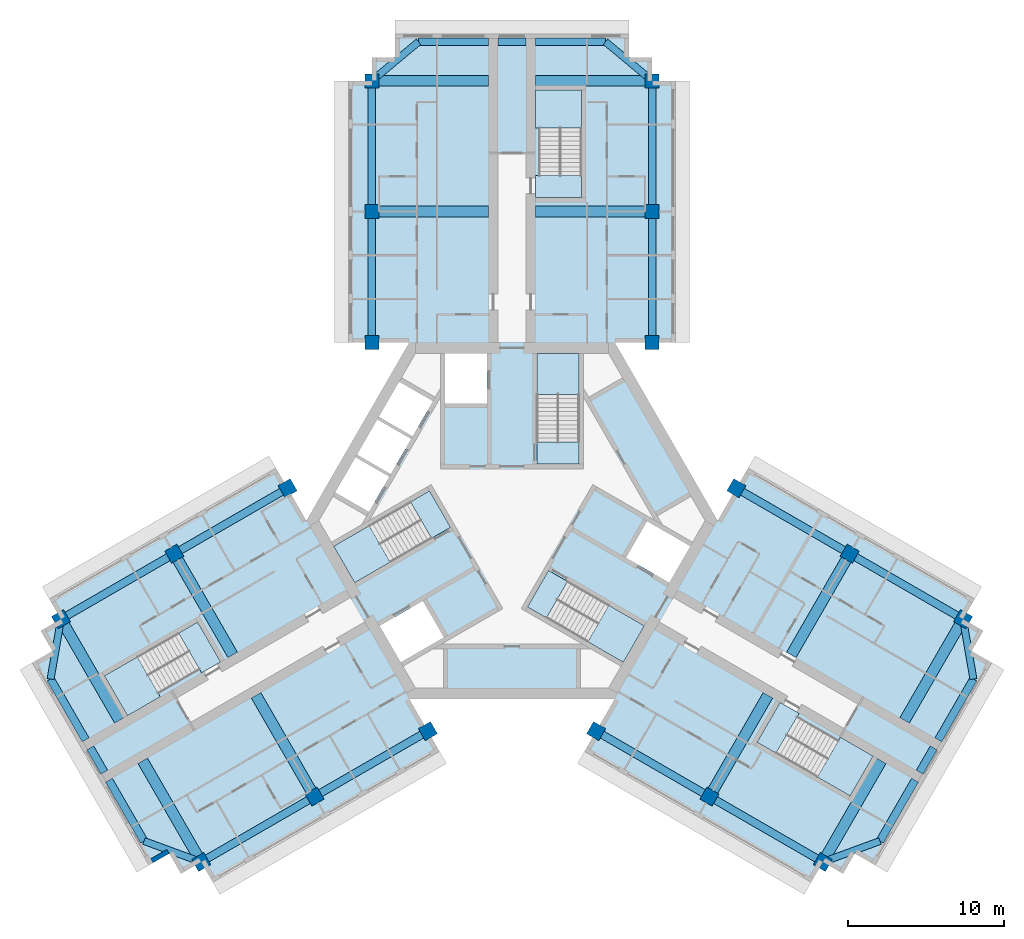
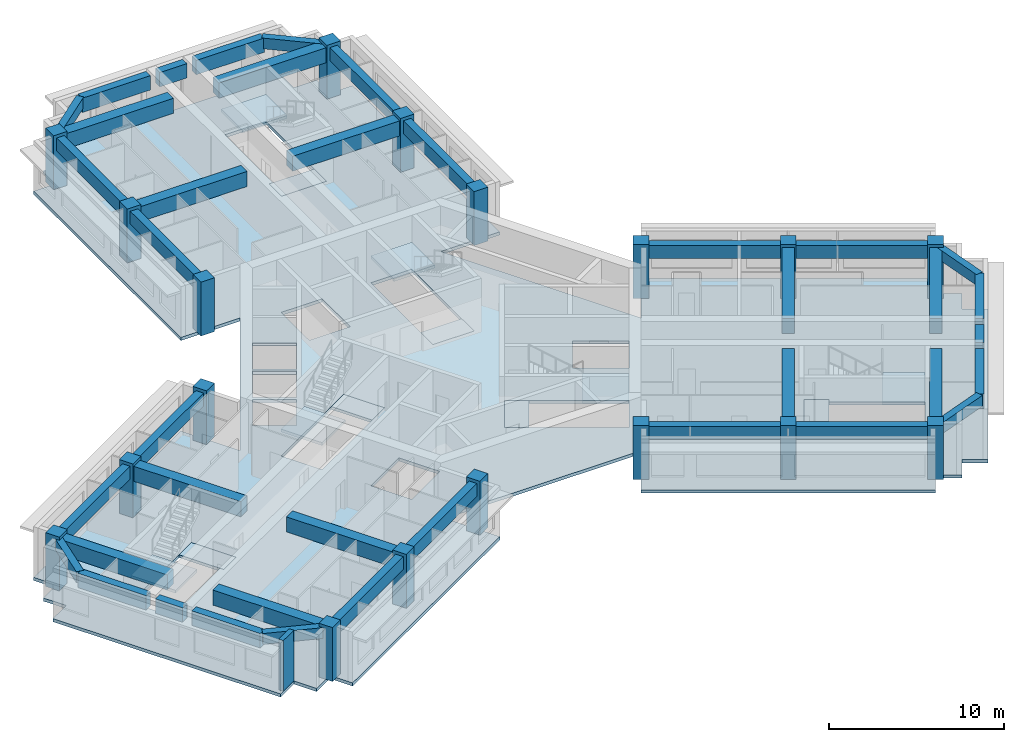
# One storey, part 1 of 10: 39 beams, 18 columns, 13 slabs, 1 wall, 6 elements without a shape of their own.
"""IFC4 building model written with IfcOpenShell, lengths in metres."""

from ifc_helpers import new_model, si_unit, direction, frame, frame_2d, origin, origin_2d, place, context, subcontext, project, spatial, polyline, rectangle, outline, extrude, material, layer, layer_set, material_profile, profile_set, type_object, element, aggregate, save


model = new_model("IFC4")

# Units and contexts
model_context = context("Model", 3, precision=1e-05, world=origin(), true_north=direction((0.0, 1.0)))
body_context = subcontext(model_context, "Body", "Model", "MODEL_VIEW")
ifc_project = project(units=[si_unit("LENGTHUNIT", "METRE"), si_unit("AREAUNIT", "SQUARE_METRE"), si_unit("VOLUMEUNIT", "CUBIC_METRE"), si_unit("PLANEANGLEUNIT", "RADIAN"), si_unit("MASSUNIT", "GRAM", prefix="KILO")], contexts=[model_context])

# Site, building, storey
site_placement = place(None, origin())
site = spatial("IfcSite", under=ifc_project, at=site_placement, CompositionType="ELEMENT")
building_placement = place(site_placement, origin())
building = spatial("IfcBuilding", under=site, at=building_placement, Name="Impinga Residences", CompositionType="ELEMENT")
storey_placement = place(building_placement, frame((0.0, 0.0, 263.5)))
storey = spatial("IfcBuildingStorey", under=building, at=storey_placement, Name="L66", CompositionType="ELEMENT", Elevation=263.5)

# Columns
ifc_material_1 = material(Name="Concrete C60/75", Category="concrete")
ifc_material_profile_1 = material_profile(ifc_material_1, rectangle(XDim=0.89990234375, YDim=0.89990234375, at=origin_2d()), Name="RC 900x900")
ifc_profile_set_1 = profile_set([ifc_material_profile_1], Name="Concrete C60/75")
column_type = type_object("IfcColumnType", Name="C4 900x900 column", PredefinedType="COLUMN", material=ifc_profile_set_1)
for number, where, z_axis, x_axis, name in (
    (1, (-9.0, 11.431640625, 0.0), (0.0, 0.0, 1.0), (1.0, 0.0, 0.0), "Column C4 N1/NA L66"),
    (2, (9.0, 11.431640625, 0.0), (0.0, 0.0, 1.0), (1.0, 0.0, 0.0), "Column C4 N1/NF L66"),
    (3, (-9.0, 19.83154296875, 0.0), (0.0, 0.0, 1.0), (1.0, 0.0, 0.0), "Column C4 N2/NA L66"),
    (4, (9.0, 19.83154296875, 0.0), (0.0, 0.0, 1.0), (1.0, 0.0, 0.0), "Column C4 N2/NF L66"),
    (5, (-9.0, 28.2314453125, 0.0), (0.0, 0.0, 1.0), (1.0, 0.0, 0.0), "Column C4 N3/NA L66"),
    (6, (9.0, 28.2314453125, 0.0), (0.0, 0.0, 1.0), (1.0, 0.0, 0.0), "Column C4 N3/NF L66"),
    (7, (-5.39990234375, -13.510009765625, 0.0), (0.0, 0.0, 1.0), (-0.5, 0.866025403784, 0.0), "Column C4 W1/WA L66"),
    (8, (-14.39990234375, 2.078369140625, 0.0), (0.0, 0.0, 1.0), (-0.5, 0.866025403784, 0.0), "Column C4 W1/WF L66"),
    (9, (-12.674560546875, -17.7099609375, 0.0), (0.0, 0.0, 1.0), (-0.5, 0.866025403784, 0.0), "Column C4 W2/WA L66"),
    (10, (-21.674560546875, -2.12158203125, 0.0), (0.0, 0.0, 1.0), (-0.5, 0.866025403784, 0.0), "Column C4 W2/WF L66"),
    (11, (-19.94921875, -21.909912109375, 0.0), (0.0, 0.0, 1.0), (-0.5, 0.866025403784, 0.0), "Column C4 W3/WA L66"),
    (12, (-28.94921875, -6.321533203125, 0.0), (0.0, 0.0, 1.0), (-0.5, 0.866025403784, 0.0), "Column C4 W3/WF L66"),
    (13, (14.39990234375, 2.078369140625, 0.0), (0.0, 0.0, 1.0), (-0.5, -0.866025403784, 0.0), "Column C4 E1/EA L66"),
    (14, (5.39990234375, -13.510009765625, 0.0), (0.0, 0.0, 1.0), (-0.5, -0.866025403784, 0.0), "Column C4 E1/EF L66"),
    (15, (21.674560546875, -2.12158203125, 0.0), (0.0, 0.0, 1.0), (-0.5, -0.866025403784, 0.0), "Column C4 E2/EA L66"),
    (16, (12.674560546875, -17.7099609375, 0.0), (0.0, 0.0, 1.0), (-0.5, -0.866025403784, 0.0), "Column C4 E2/EF L66"),
    (17, (28.94921875, -6.321533203125, 0.0), (0.0, 0.0, 1.0), (-0.5, -0.866025403784, 0.0), "Column C4 E3/EA L66"),
    (18, (19.94921875, -21.909912109375, 0.0), (0.0, 0.0, 1.0), (-0.5, -0.866025403784, 0.0), "Column C4 E3/EF L66"),
):
    element("IfcColumn", number, at=place(storey_placement, frame(where, z_axis=z_axis, x_axis=x_axis)), inside=storey, type_object=column_type, Name=name, PredefinedType="COLUMN", context=body_context, shape_type="SweptSolid", body=[
        extrude(rectangle(XDim=0.89990234375, YDim=0.89990234375, at=origin_2d()), origin(), (0.0, 0.0, 1.0), 3.75),
    ])

# Beams
ifc_material_profile_2 = material_profile(ifc_material_1, rectangle(XDim=0.449951171875, YDim=0.75, at=origin_2d()), Name="RC 450x750")
ifc_profile_set_2 = profile_set([ifc_material_profile_2], Name="Concrete C60/75")
beam_type_1 = type_object("IfcBeamType", Name="CB1 450x750 wing end cantilever beam", PredefinedType="BEAM", material=ifc_profile_set_2)
for number, where, z_axis, x_axis, name in (
    (19, (-9.0, 28.2314453125, 3.155029296875), (0.768221279597, 0.640184399664, 0.0), (-0.640184399664, 0.768221279597, 0.0), "Beam CB1 NB N3-NX level L67"),
    (20, (9.0, 28.2314453125, 3.155029296875), (-0.768221279597, 0.640184399664, 0.0), (-0.640184399664, -0.768221279597, 0.0), "Beam CB1 NE N3-NX level L67"),
    (21, (-19.94921875, -21.909912109375, 3.155029296875), (-0.93854043338, 0.345169313396, 0.0), (-0.345169313396, -0.93854043338, 0.0), "Beam CB1 WB W3-WX level L67"),
):
    element("IfcBeam", number, at=place(storey_placement, frame(where, z_axis=z_axis, x_axis=x_axis)), inside=storey, type_object=beam_type_1, Name=name, PredefinedType="BEAM", context=body_context, shape_type="SweptSolid", body=[
        extrude(rectangle(XDim=0.449951171875, YDim=0.75, at=origin_2d()), origin(), (0.0, 0.0, 1.0), 3.905029296875),
    ])
for number, where, z_axis, x_axis, name in (
    (22, (-28.94921875, -6.321533203125, 3.155029296875), (-0.170296298948, -0.985392901621, 0.0), (0.985392901621, -0.170296298948, 0.0), "Beam CB1 WE W3-WX level L67"),
    (23, (28.94921875, -6.321533203125, 3.155029296875), (0.170296298948, -0.985392901621, 0.0), (0.985392901621, 0.170296298948, 0.0), "Beam CB1 EB E3-EX level L67"),
):
    element("IfcBeam", number, at=place(storey_placement, frame(where, z_axis=z_axis, x_axis=x_axis)), inside=storey, type_object=beam_type_1, Name=name, PredefinedType="BEAM", context=body_context, shape_type="SweptSolid", body=[
        extrude(rectangle(XDim=0.449951171875, YDim=0.75, at=origin_2d()), origin(), (0.0, 0.0, 1.0), 3.9052734375),
    ])
beam_1_placement = place(storey_placement, frame((19.94921875, -21.909912109375, 3.155029296875), z_axis=(0.93854043338, 0.345169313396, 0.0), x_axis=(-0.345169313396, 0.93854043338, 0.0)))
element("IfcBeam", 24, at=beam_1_placement, inside=storey, type_object=beam_type_1, Name="Beam CB1 EE E3-EX level L67", PredefinedType="BEAM", context=body_context, shape_type="SweptSolid", body=[
    extrude(rectangle(XDim=0.449951171875, YDim=0.75, at=origin_2d()), origin(), (0.0, 0.0, 1.0), 3.905029296875),
])
ifc_material_profile_3 = material_profile(ifc_material_1, rectangle(XDim=0.699951171875, YDim=1.050048828125, at=origin_2d()), Name="RC 700x1050")
ifc_profile_set_3 = profile_set([ifc_material_profile_3], Name="Concrete C60/75")
beam_type_2 = type_object("IfcBeamType", Name="CG1 700x1050 cross girder on a wing bay line", PredefinedType="BEAM", material=ifc_profile_set_3)
for number, where, z_axis, x_axis, name in (
    (25, (-1.5, 19.83154296875, 3.0048828125), (-1.0, 0.0, 0.0), (0.0, -1.0, 0.0), "Beam CG1 N2 NC/NA level L67"),
    (26, (-1.5, 28.2314453125, 3.0048828125), (-1.0, 0.0, 0.0), (0.0, -1.0, 0.0), "Beam CG1 N3 NC/NA level L67"),
    (27, (1.5, 19.83154296875, 3.0048828125), (1.0, 0.0, 0.0), (0.0, 1.0, 0.0), "Beam CG1 N2 NC/NF level L67"),
    (28, (1.5, 28.2314453125, 3.0048828125), (1.0, 0.0, 0.0), (0.0, 1.0, 0.0), "Beam CG1 N3 NC/NF level L67"),
    (29, (-16.424560546875, -11.21484375, 3.0048828125), (0.500004234368, -0.866022959057, 0.0), (0.866022959057, 0.500004234368, 0.0), "Beam CG1 W2 WC/WA level L67"),
    (30, (-23.69921875, -15.414794921875, 3.0048828125), (0.500004234368, -0.866022959057, 0.0), (0.866022959057, 0.500004234368, 0.0), "Beam CG1 W3 WC/WA level L67"),
    (31, (-17.924560546875, -8.61669921875, 3.0048828125), (-0.500004234368, 0.866022959057, 0.0), (-0.866022959057, -0.500004234368, 0.0), "Beam CG1 W2 WC/WF level L67"),
    (32, (-25.19921875, -12.816650390625, 3.0048828125), (-0.500004234368, 0.866022959057, 0.0), (-0.866022959057, -0.500004234368, 0.0), "Beam CG1 W3 WC/WF level L67"),
    (33, (17.924560546875, -8.61669921875, 3.0048828125), (0.500004234368, 0.866022959057, 0.0), (-0.866022959057, 0.500004234368, 0.0), "Beam CG1 E2 EC/EA level L67"),
    (34, (25.19921875, -12.816650390625, 3.0048828125), (0.500004234368, 0.866022959057, 0.0), (-0.866022959057, 0.500004234368, 0.0), "Beam CG1 E3 EC/EA level L67"),
    (35, (16.424560546875, -11.21484375, 3.0048828125), (-0.500004234368, -0.866022959057, 0.0), (0.866022959057, -0.500004234368, 0.0), "Beam CG1 E2 EC/EF level L67"),
    (36, (23.69921875, -15.414794921875, 3.0048828125), (-0.500004234368, -0.866022959057, 0.0), (0.866022959057, -0.500004234368, 0.0), "Beam CG1 E3 EC/EF level L67"),
):
    element("IfcBeam", number, at=place(storey_placement, frame(where, z_axis=z_axis, x_axis=x_axis)), inside=storey, type_object=beam_type_2, Name=name, PredefinedType="BEAM", context=body_context, shape_type="SweptSolid", body=[
        extrude(rectangle(XDim=0.699951171875, YDim=1.050048828125, at=origin_2d()), origin(), (0.0, 0.0, 1.0), 7.5),
    ])
ifc_material_profile_4 = material_profile(ifc_material_1, rectangle(XDim=0.5, YDim=1.0, at=origin_2d()), Name="RC 500x1000")
ifc_profile_set_4 = profile_set([ifc_material_profile_4], Name="Concrete C60/75")
beam_type_3 = type_object("IfcBeamType", Name="EB1 500x1000 wing end beam", PredefinedType="BEAM", material=ifc_profile_set_4)
beam_2_placement = place(storey_placement, frame((-6.0, 30.7314453125, 3.030029296875), z_axis=(1.0, 0.0, 0.0), x_axis=(0.0, 1.0, 0.0)))
element("IfcBeam", 37, at=beam_2_placement, inside=storey, type_object=beam_type_3, Name="Beam EB1 NX2 level L67", PredefinedType="BEAM", context=body_context, shape_type="SweptSolid", body=[
    extrude(rectangle(XDim=0.5, YDim=1.0, at=origin_2d()), origin(), (0.0, 0.0, 1.0), 4.5),
])
beam_3_placement = place(storey_placement, frame((-0.89990234375, 30.7314453125, 3.030029296875), z_axis=(1.0, 0.0, 0.0), x_axis=(0.0, 1.0, 0.0)))
element("IfcBeam", 38, at=beam_3_placement, inside=storey, type_object=beam_type_3, Name="Beam EB1 NX2 level L67", PredefinedType="BEAM", context=body_context, shape_type="SweptSolid", body=[
    extrude(rectangle(XDim=0.5, YDim=1.0, at=origin_2d()), origin(), (0.0, 0.0, 1.0), 1.7998046875),
])
for number, where, z_axis, x_axis, name in (
    (39, (1.5, 30.7314453125, 3.030029296875), (1.0, 0.0, 0.0), (0.0, 1.0, 0.0), "Beam EB1 NX2 level L67"),
    (40, (-23.6142578125, -20.56201171875, 3.030029296875), (-0.499990139034, 0.866031096941, 0.0), (-0.866031096941, -0.499990139034, 0.0), "Beam EB1 WX2 level L67"),
):
    element("IfcBeam", number, at=place(storey_placement, frame(where, z_axis=z_axis, x_axis=x_axis)), inside=storey, type_object=beam_type_3, Name=name, PredefinedType="BEAM", context=body_context, shape_type="SweptSolid", body=[
        extrude(rectangle(XDim=0.5, YDim=1.0, at=origin_2d()), origin(), (0.0, 0.0, 1.0), 4.5),
    ])
beam_4_placement = place(storey_placement, frame((-26.164306640625, -16.145263671875, 3.030029296875), z_axis=(-0.499961193289, 0.866047807691, 0.0), x_axis=(-0.866047807691, -0.499961193289, 0.0)))
element("IfcBeam", 41, at=beam_4_placement, inside=storey, type_object=beam_type_3, Name="Beam EB1 WX2 level L67", PredefinedType="BEAM", context=body_context, shape_type="SweptSolid", body=[
    extrude(rectangle(XDim=0.5, YDim=1.0, at=origin_2d()), origin(), (0.0, 0.0, 1.0), 1.800048828125),
])
for number, where, z_axis, x_axis, name in (
    (42, (-27.3642578125, -14.066650390625, 3.030029296875), (-0.500013631625, 0.866017533419, 0.0), (-0.866017533419, -0.500013631625, 0.0), "Beam EB1 WX2 level L67"),
    (43, (29.6142578125, -10.169677734375, 3.030029296875), (-0.500013631625, -0.866017533419, 0.0), (0.866017533419, -0.500013631625, 0.0), "Beam EB1 EX2 level L67"),
):
    element("IfcBeam", number, at=place(storey_placement, frame(where, z_axis=z_axis, x_axis=x_axis)), inside=storey, type_object=beam_type_3, Name=name, PredefinedType="BEAM", context=body_context, shape_type="SweptSolid", body=[
        extrude(rectangle(XDim=0.5, YDim=1.0, at=origin_2d()), origin(), (0.0, 0.0, 1.0), 4.499755859375),
    ])
beam_5_placement = place(storey_placement, frame((27.064208984375, -14.58642578125, 3.030029296875), z_axis=(-0.499961193289, -0.866047807691, 0.0), x_axis=(0.866047807691, -0.499961193289, 0.0)))
element("IfcBeam", 44, at=beam_5_placement, inside=storey, type_object=beam_type_3, Name="Beam EB1 EX2 level L67", PredefinedType="BEAM", context=body_context, shape_type="SweptSolid", body=[
    extrude(rectangle(XDim=0.5, YDim=1.0, at=origin_2d()), origin(), (0.0, 0.0, 1.0), 1.800048828125),
])
beam_6_placement = place(storey_placement, frame((25.8642578125, -16.664794921875, 3.030029296875), z_axis=(-0.499990139034, -0.866031096941, 0.0), x_axis=(0.866031096941, -0.499990139034, 0.0)))
element("IfcBeam", 45, at=beam_6_placement, inside=storey, type_object=beam_type_3, Name="Beam EB1 EX2 level L67", PredefinedType="BEAM", context=body_context, shape_type="SweptSolid", body=[
    extrude(rectangle(XDim=0.5, YDim=1.0, at=origin_2d()), origin(), (0.0, 0.0, 1.0), 4.5),
])
ifc_material_profile_5 = material_profile(ifc_material_1, rectangle(XDim=0.5, YDim=0.89990234375, at=origin_2d()), Name="RC 500x900")
ifc_profile_set_5 = profile_set([ifc_material_profile_5], Name="Concrete C60/75")
beam_type_4 = type_object("IfcBeamType", Name="SB1 500x900 perimeter spandrel beam", PredefinedType="SPANDREL", material=ifc_profile_set_5)
for number, where, z_axis, x_axis, name in (
    (46, (-9.0, 11.431640625, 3.080078125), (0.0, 1.0, 0.0), (-1.0, 0.0, 0.0), "Beam SB1 NA N1-N2 level L67"),
    (47, (-9.0, 19.83154296875, 3.080078125), (0.0, 1.0, 0.0), (-1.0, 0.0, 0.0), "Beam SB1 NA N2-N3 level L67"),
    (48, (9.0, 11.431640625, 3.080078125), (0.0, 1.0, 0.0), (-1.0, 0.0, 0.0), "Beam SB1 NF N1-N2 level L67"),
    (49, (9.0, 19.83154296875, 3.080078125), (0.0, 1.0, 0.0), (-1.0, 0.0, 0.0), "Beam SB1 NF N2-N3 level L67"),
    (50, (-5.39990234375, -13.510009765625, 3.080078125), (-0.86602925447, -0.499993330357, 0.0), (0.499993330357, -0.86602925447, 0.0), "Beam SB1 WA W1-W2 level L67"),
    (51, (-12.674560546875, -17.7099609375, 3.080078125), (-0.86602925447, -0.499993330357, 0.0), (0.499993330357, -0.86602925447, 0.0), "Beam SB1 WA W2-W3 level L67"),
    (52, (-14.39990234375, 2.078369140625, 3.080078125), (-0.86602925447, -0.499993330357, 0.0), (0.499993330357, -0.86602925447, 0.0), "Beam SB1 WF W1-W2 level L67"),
    (53, (-21.674560546875, -2.12158203125, 3.080078125), (-0.86602925447, -0.499993330357, 0.0), (0.499993330357, -0.86602925447, 0.0), "Beam SB1 WF W2-W3 level L67"),
    (54, (14.39990234375, 2.078369140625, 3.080078125), (0.86602925447, -0.499993330357, 0.0), (0.499993330357, 0.86602925447, 0.0), "Beam SB1 EA E1-E2 level L67"),
    (55, (21.674560546875, -2.12158203125, 3.080078125), (0.86602925447, -0.499993330357, 0.0), (0.499993330357, 0.86602925447, 0.0), "Beam SB1 EA E2-E3 level L67"),
    (56, (5.39990234375, -13.510009765625, 3.080078125), (0.86602925447, -0.499993330357, 0.0), (0.499993330357, 0.86602925447, 0.0), "Beam SB1 EF E1-E2 level L67"),
    (57, (12.674560546875, -17.7099609375, 3.080078125), (0.86602925447, -0.499993330357, 0.0), (0.499993330357, 0.86602925447, 0.0), "Beam SB1 EF E2-E3 level L67"),
):
    element("IfcBeam", number, at=place(storey_placement, frame(where, z_axis=z_axis, x_axis=x_axis)), inside=storey, type_object=beam_type_4, Name=name, PredefinedType="SPANDREL", context=body_context, shape_type="SweptSolid", body=[
        extrude(rectangle(XDim=0.5, YDim=0.89990234375, at=origin_2d()), origin(), (0.0, 0.0, 1.0), 8.39990234375),
    ])

# Slab
ifc_layer_1 = layer(ifc_material_1, 0.219970703125)
ifc_layer_set_1 = layer_set([ifc_layer_1], Name="Concrete C60/75")
slab_type_1 = type_object("IfcSlabType", Name="FS1 tower floor slab 220", PredefinedType="FLOOR", material=ifc_layer_set_1)
slab_1_placement = place(storey_placement, frame((0.0, 0.0, -0.219970703125)))
element("IfcSlab", 58, at=slab_1_placement, inside=storey, type_object=slab_type_1, Name="Floor slab FS1 L66", PredefinedType="FLOOR", context=body_context, shape_type="SweptSolid", body=[
    extrude(outline(polyline([(-19.94921875, -21.909912109375), (-21.248291015625, -22.659912109375), (-21.998291015625, -21.36083984375), (-23.29736328125, -22.11083984375), (-30.79736328125, -9.12060546875), (-29.498291015625, -8.37060546875), (-30.248291015625, -7.071533203125), (-28.94921875, -6.321533203125), (-29.69921875, -5.0224609375), (-15.14990234375, 3.37744140625), (-13.199951171875, 0.0), (-6.60009765625, 11.431640625), (-10.5, 11.431640625), (-10.5, 28.2314453125), (-9.0, 28.2314453125), (-9.0, 29.7314453125), (-7.5, 29.7314453125), (-7.5, 31.2314453125), (7.5, 31.2314453125), (7.5, 29.7314453125), (9.0, 29.7314453125), (9.0, 28.2314453125), (10.5, 28.2314453125), (10.5, 11.431640625), (6.60009765625, 11.431640625), (13.199951171875, 0.0), (15.14990234375, 3.37744140625), (29.69921875, -5.0224609375), (28.94921875, -6.321533203125), (30.248291015625, -7.071533203125), (29.498291015625, -8.37060546875), (30.79736328125, -9.12060546875), (23.29736328125, -22.11083984375), (21.998291015625, -21.36083984375), (21.248291015625, -22.659912109375), (19.94921875, -21.909912109375), (19.19921875, -23.208984375), (4.64990234375, -14.80908203125), (9.900146484375, -5.7158203125), (6.60009765625, -11.431640625), (-6.60009765625, -11.431640625), (-9.900146484375, -5.7158203125), (-4.64990234375, -14.80908203125), (-19.19921875, -23.208984375), (-19.94921875, -21.909912109375)]), holes=[polyline([(-18.7041015625, -9.066650390625), (-18.8291015625, -8.850341796875), (-18.8291015625, -8.850341796875), (-20.178955078125, -6.511962890625), (-21.391357421875, -7.2119140625), (-21.391357421875, -7.2119140625), (-26.154541015625, -9.9619140625), (-24.8046875, -12.30029296875), (-20.04150390625, -9.55029296875), (-19.91650390625, -9.766845703125), (-18.7041015625, -9.066650390625)]), polyline([(-5.72119140625, -5.150634765625), (-8.493896484375, -6.75146484375), (-7.143798828125, -9.089599609375), (-4.37109375, -7.489013671875), (-5.72119140625, -5.150634765625)]), polyline([(-5.293701171875, 1.908935546875), (-11.44384765625, -1.641845703125), (-10.09375, -3.980224609375), (-3.943603515625, -0.429443359375), (-5.293701171875, 1.908935546875)]), polyline([(-7.878662109375, 2.816650390625), (-10.043701171875, 4.066650390625), (-11.34375, 1.81494140625), (-9.1787109375, 0.56494140625), (-7.878662109375, 2.816650390625)]), polyline([(-6.478759765625, 5.24169921875), (-8.643798828125, 6.49169921875), (-9.94384765625, 4.239990234375), (-7.77880859375, 2.989990234375), (-6.478759765625, 5.24169921875)]), polyline([(-6.378662109375, 5.414794921875), (-5.07861328125, 7.66650390625), (-7.243896484375, 8.91650390625), (-8.543701171875, 6.664794921875), (-6.378662109375, 5.414794921875)]), polyline([(-4.300048828125, 7.530029296875), (-1.60009765625, 7.530029296875), (-1.60009765625, 10.7314453125), (-4.300048828125, 10.7314453125), (-4.300048828125, 7.530029296875)]), polyline([(15.72900390625, -14.219482421875), (21.70458984375, -17.669677734375), (23.0546875, -15.331298828125), (18.29150390625, -12.581298828125), (18.41650390625, -12.36474609375), (17.2041015625, -11.664794921875), (15.72900390625, -14.219482421875)]), polyline([(0.99365234375, -5.538818359375), (7.143798828125, -9.089599609375), (8.493896484375, -6.75146484375), (2.34375, -3.20068359375), (0.99365234375, -5.538818359375)]), polyline([(7.3212890625, -2.37939453125), (10.09375, -3.980224609375), (11.44384765625, -1.641845703125), (8.671142578125, -0.041015625), (7.3212890625, -2.37939453125)]), polyline([(4.300048828125, 3.6298828125), (4.300048828125, 10.7314453125), (1.60009765625, 10.7314453125), (1.60009765625, 3.6298828125), (4.300048828125, 3.6298828125)]), polyline([(1.75, 22.131591796875), (1.5, 22.131591796875), (1.5, 20.7314453125), (1.75, 20.7314453125), (4.449951171875, 20.7314453125), (4.449951171875, 22.131591796875), (4.449951171875, 27.631591796875), (1.75, 27.631591796875), (1.75, 22.131591796875)])]), origin(), (0.0, 0.0, 1.0), 0.219970703125),
])

# Stair, slabs
ifc_material_2 = material(Name="Concrete C40/50", Category="concrete")
stair_type_1 = type_object("IfcStairType", Name="STR core stair 3750 storey, 24 risers", PredefinedType="HALF_TURN_STAIR", material=ifc_material_2)
stair_1_placement = place(storey_placement, origin())
stair_1 = element("IfcStair", 59, at=stair_1_placement, inside=storey, type_object=stair_type_1, Name="Stair ST1 L66", PredefinedType="HALF_TURN_STAIR")
ifc_layer_2 = layer(ifc_material_2, 0.199951171875)
ifc_layer_set_2 = layer_set([ifc_layer_2], Name="Concrete C40/50")
slab_type_2 = type_object("IfcSlabType", Name="LS1 stair landing 200", PredefinedType="LANDING", material=ifc_layer_set_2)
slab_2_placement = place(storey_placement, frame((0.0, 0.0, -0.199951171875)))
slab_2 = element("IfcSlab", 60, at=slab_2_placement, type_object=slab_type_2, Name="ST1 landing 1", PredefinedType="LANDING", context=body_context, shape_type="SweptSolid", body=[
    extrude(outline(polyline([(1.60009765625, 3.6298828125), (4.300048828125, 3.6298828125), (4.300048828125, 5.0400390625), (1.60009765625, 5.0400390625), (1.60009765625, 3.6298828125)])), origin(), (0.0, 0.0, 1.0), 0.199951171875),
])
slab_3_placement = place(storey_placement, frame((0.0, 0.0, 1.675048828125)))
slab_3 = element("IfcSlab", 61, at=slab_3_placement, type_object=slab_type_2, Name="ST1 landing 2", PredefinedType="LANDING", context=body_context, shape_type="SweptSolid", body=[
    extrude(outline(polyline([(1.60009765625, 8.10009765625), (4.300048828125, 8.10009765625), (4.300048828125, 10.7314453125), (1.60009765625, 10.7314453125), (1.60009765625, 8.10009765625)])), origin(), (0.0, 0.0, 1.0), 0.199951171875),
])
aggregate(stair_1, [slab_2, slab_3])

stair_2_placement = place(storey_placement, origin())
stair_2 = element("IfcStair", 62, at=stair_2_placement, inside=storey, type_object=stair_type_1, Name="Stair ST2 L66", PredefinedType="HALF_TURN_STAIR")
slab_4_placement = place(storey_placement, frame((0.0, 0.0, -0.199951171875)))
slab_4 = element("IfcSlab", 63, at=slab_4_placement, type_object=slab_type_2, Name="ST2 landing 1", PredefinedType="LANDING", context=body_context, shape_type="SweptSolid", body=[
    extrude(outline(polyline([(-3.943603515625, -0.429443359375), (-5.293701171875, 1.908935546875), (-6.5146484375, 1.203857421875), (-5.164794921875, -1.13427734375), (-3.943603515625, -0.429443359375)])), origin(), (0.0, 0.0, 1.0), 0.199951171875),
])
slab_5_placement = place(storey_placement, frame((0.0, 0.0, 1.675048828125)))
slab_5 = element("IfcSlab", 64, at=slab_5_placement, type_object=slab_type_2, Name="ST2 landing 2", PredefinedType="LANDING", context=body_context, shape_type="SweptSolid", body=[
    extrude(outline(polyline([(-7.814697265625, -2.664306640625), (-9.164794921875, -0.326171875), (-11.44384765625, -1.641845703125), (-10.09375, -3.980224609375), (-7.814697265625, -2.664306640625)])), origin(), (0.0, 0.0, 1.0), 0.199951171875),
])
aggregate(stair_2, [slab_4, slab_5])

stair_3_placement = place(storey_placement, origin())
stair_3 = element("IfcStair", 65, at=stair_3_placement, inside=storey, type_object=stair_type_1, Name="Stair ST3 L66", PredefinedType="HALF_TURN_STAIR")
slab_6_placement = place(storey_placement, frame((0.0, 0.0, -0.199951171875)))
slab_6 = element("IfcSlab", 66, at=slab_6_placement, type_object=slab_type_2, Name="ST3 landing 1", PredefinedType="LANDING", context=body_context, shape_type="SweptSolid", body=[
    extrude(outline(polyline([(2.34375, -3.20068359375), (0.99365234375, -5.538818359375), (2.21484375, -6.243896484375), (3.564697265625, -3.90576171875), (2.34375, -3.20068359375)])), origin(), (0.0, 0.0, 1.0), 0.199951171875),
])
slab_7_placement = place(storey_placement, frame((0.0, 0.0, 1.675048828125)))
slab_7 = element("IfcSlab", 67, at=slab_7_placement, type_object=slab_type_2, Name="ST3 landing 2", PredefinedType="LANDING", context=body_context, shape_type="SweptSolid", body=[
    extrude(outline(polyline([(6.21484375, -5.435546875), (4.86474609375, -7.77392578125), (7.143798828125, -9.089599609375), (8.493896484375, -6.75146484375), (6.21484375, -5.435546875)])), origin(), (0.0, 0.0, 1.0), 0.199951171875),
])
aggregate(stair_3, [slab_6, slab_7])

stair_type_2 = type_object("IfcStairType", Name="STR wing stair 3750 storey, 24 risers", PredefinedType="HALF_TURN_STAIR", material=ifc_material_2)
stair_4_placement = place(storey_placement, origin())
stair_4 = element("IfcStair", 68, at=stair_4_placement, inside=storey, type_object=stair_type_2, Name="Stair WS1 L66", PredefinedType="HALF_TURN_STAIR")
slab_8_placement = place(storey_placement, frame((0.0, 0.0, -0.199951171875)))
slab_8 = element("IfcSlab", 69, at=slab_8_placement, type_object=slab_type_2, Name="WS1 landing 1", PredefinedType="LANDING", context=body_context, shape_type="SweptSolid", body=[
    extrude(outline(polyline([(1.5, 20.7314453125), (4.449951171875, 20.7314453125), (4.449951171875, 22.1416015625), (1.5, 22.1416015625), (1.5, 20.7314453125)])), origin(), (0.0, 0.0, 1.0), 0.199951171875),
])
slab_9_placement = place(storey_placement, frame((0.0, 0.0, 1.675048828125)))
slab_9 = element("IfcSlab", 70, at=slab_9_placement, type_object=slab_type_2, Name="WS1 landing 2", PredefinedType="LANDING", context=body_context, shape_type="SweptSolid", body=[
    extrude(outline(polyline([(1.5, 25.201416015625), (4.449951171875, 25.201416015625), (4.449951171875, 27.631591796875), (1.5, 27.631591796875), (1.5, 25.201416015625)])), origin(), (0.0, 0.0, 1.0), 0.199951171875),
])
aggregate(stair_4, [slab_8, slab_9])

stair_5_placement = place(storey_placement, origin())
stair_5 = element("IfcStair", 71, at=stair_5_placement, inside=storey, type_object=stair_type_2, Name="Stair WS2 L66", PredefinedType="HALF_TURN_STAIR")
slab_10_placement = place(storey_placement, frame((0.0, 0.0, -0.199951171875)))
slab_10 = element("IfcSlab", 72, at=slab_10_placement, type_object=slab_type_2, Name="WS2 landing 1", PredefinedType="LANDING", context=body_context, shape_type="SweptSolid", body=[
    extrude(outline(polyline([(-18.7041015625, -9.066650390625), (-20.178955078125, -6.511962890625), (-21.400146484375, -7.217041015625), (-19.925048828125, -9.771728515625), (-18.7041015625, -9.066650390625)])), origin(), (0.0, 0.0, 1.0), 0.199951171875),
])
slab_11_placement = place(storey_placement, frame((0.0, 0.0, 1.675048828125)))
slab_11 = element("IfcSlab", 73, at=slab_11_placement, type_object=slab_type_2, Name="WS2 landing 2", PredefinedType="LANDING", context=body_context, shape_type="SweptSolid", body=[
    extrude(outline(polyline([(-22.5751953125, -11.3017578125), (-24.050048828125, -8.7470703125), (-26.154541015625, -9.9619140625), (-24.6796875, -12.516845703125), (-22.5751953125, -11.3017578125)])), origin(), (0.0, 0.0, 1.0), 0.199951171875),
])
aggregate(stair_5, [slab_10, slab_11])

stair_6_placement = place(storey_placement, origin())
stair_6 = element("IfcStair", 74, at=stair_6_placement, inside=storey, type_object=stair_type_2, Name="Stair WS3 L66", PredefinedType="HALF_TURN_STAIR")
slab_12_placement = place(storey_placement, frame((0.0, 0.0, -0.199951171875)))
slab_12 = element("IfcSlab", 75, at=slab_12_placement, type_object=slab_type_2, Name="WS3 landing 1", PredefinedType="LANDING", context=body_context, shape_type="SweptSolid", body=[
    extrude(outline(polyline([(17.2041015625, -11.664794921875), (15.72900390625, -14.219482421875), (16.9501953125, -14.924560546875), (18.425048828125, -12.369873046875), (17.2041015625, -11.664794921875)])), origin(), (0.0, 0.0, 1.0), 0.199951171875),
])
slab_13_placement = place(storey_placement, frame((0.0, 0.0, 1.675048828125)))
slab_13 = element("IfcSlab", 76, at=slab_13_placement, type_object=slab_type_2, Name="WS3 landing 2", PredefinedType="LANDING", context=body_context, shape_type="SweptSolid", body=[
    extrude(outline(polyline([(21.0751953125, -13.89990234375), (19.60009765625, -16.45458984375), (21.70458984375, -17.669677734375), (23.1796875, -15.11474609375), (21.0751953125, -13.89990234375)])), origin(), (0.0, 0.0, 1.0), 0.199951171875),
])
aggregate(stair_6, [slab_12, slab_13])

# Wall
ifc_material_3 = material(Name="Terracotta rainscreen on blockwork", Category="masonry")
ifc_layer_3 = layer(ifc_material_3, 0.300048828125)
ifc_layer_set_3 = layer_set([ifc_layer_3], Name="EW1 external wall, terracotta rainscreen on blockwork 300")
wall_type = type_object("IfcWallType", Name="EW1 external wall, terracotta rainscreen on blockwork 300", PredefinedType="SOLIDWALL", material=ifc_layer_set_3)
wall_placement = place(storey_placement, frame((-22.07763671875, -21.233642578125, 0.0), z_axis=(0.0, 0.0, 1.0), x_axis=(-0.866059708757, -0.499940577336, 0.0)))
element("IfcWall", 77, at=wall_placement, inside=storey, type_object=wall_type, Name="External wall EW1 L66", PredefinedType="SOLIDWALL", context=body_context, shape_type="SweptSolid", body=[
    extrude(rectangle(XDim=1.195068359375, YDim=0.300048828125, at=frame_2d((0.59765625, 0.0))), origin(), (0.0, 0.0, 1.0), 3.530029296875),
])

save(model, "model.ifc")
